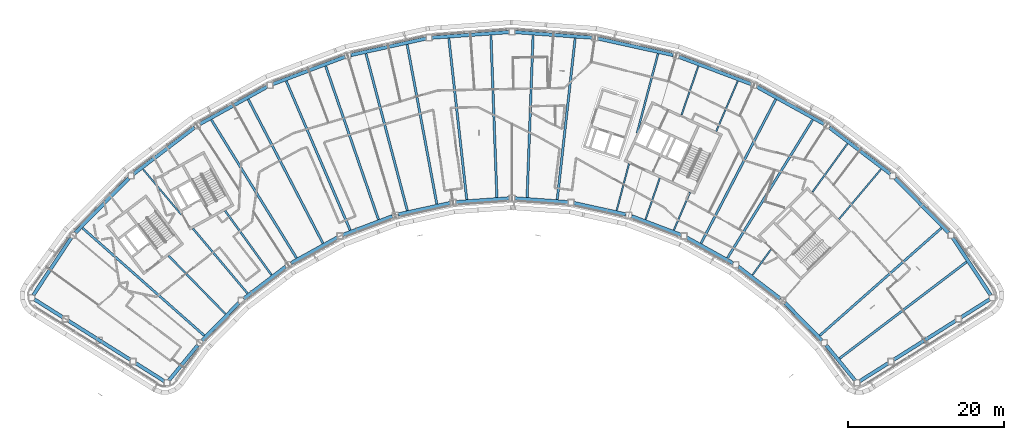
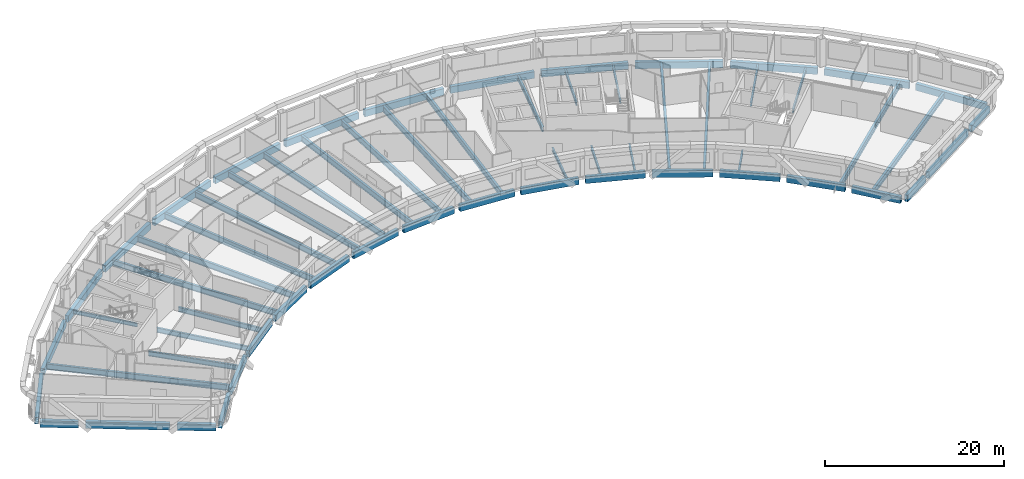
# One storey, part 3 of 21: 62 beams.
"""IFC4 building model written with IfcOpenShell, lengths in metres."""

from ifc_helpers import new_model, si_unit, direction, frame, origin, origin_2d, place, context, subcontext, project, spatial, hollow_rectangle, i_section, extrude, material, material_profile, profile_set, type_object, element, save


model = new_model("IFC4")

# Units and contexts
model_context = context("Model", 3, precision=1e-05, world=origin(), true_north=direction((0.0, 1.0)))
body_context = subcontext(model_context, "Body", "Model", "MODEL_VIEW")
ifc_project = project(units=[si_unit("LENGTHUNIT", "METRE"), si_unit("AREAUNIT", "SQUARE_METRE"), si_unit("VOLUMEUNIT", "CUBIC_METRE"), si_unit("PLANEANGLEUNIT", "RADIAN"), si_unit("MASSUNIT", "GRAM", prefix="KILO")], contexts=[model_context])

# Site, building, storey
site_placement = place(None, origin())
site = spatial("IfcSite", under=ifc_project, at=site_placement, CompositionType="ELEMENT")
building_placement = place(site_placement, origin())
building = spatial("IfcBuilding", under=site, at=building_placement, Name="Tuul Gate Civic Tower", CompositionType="ELEMENT")
storey_placement = place(building_placement, frame((0.0, 0.0, 273.60009765625)))
storey = spatial("IfcBuildingStorey", under=building, at=storey_placement, Name="Level 62", CompositionType="ELEMENT", Elevation=273.60009765625)

# Beams
ifc_material_1 = material(Name="Steel S355", Category="steel")
ifc_material_profile_1 = material_profile(ifc_material_1, i_section(OverallWidth=0.199951171875, OverallDepth=0.5, WebThickness=0.010009765625, FlangeThickness=0.01611328125, at=origin_2d()), Name="PG500x200x10x16")
ifc_profile_set_1 = profile_set([ifc_material_profile_1], Name="Steel S355")
beam_type_1 = type_object("IfcBeamType", Name="STR-FLOOR BEAM-PG500x200x10x16", PredefinedType="BEAM", material=ifc_profile_set_1)
beam_1_placement = place(storey_placement, frame((53.012939453125, -10.570068359375, -0.550048828125), z_axis=(0.644124963716, 0.764920277622, 0.0), x_axis=(-0.764920277622, 0.644124963716, 0.0)))
element("IfcBeam", 1, at=beam_1_placement, inside=storey, type_object=beam_type_1, Name="Floor beam", PredefinedType="BEAM", context=body_context, shape_type="SweptSolid", body=[
    extrude(i_section(OverallWidth=0.199951171875, OverallDepth=0.5, WebThickness=0.010009765625, FlangeThickness=0.01611328125, at=origin_2d()), origin(), (0.0, 0.0, 1.0), 8.367431640625),
])
beam_2_placement = place(storey_placement, frame((41.900390625, -17.74755859375, -0.550048828125), z_axis=(0.58608498793, 0.810249583106, 0.0), x_axis=(-0.810249583106, 0.58608498793, 0.0)))
element("IfcBeam", 2, at=beam_2_placement, inside=storey, type_object=beam_type_1, Name="Floor beam", PredefinedType="BEAM", context=body_context, shape_type="SweptSolid", body=[
    extrude(i_section(OverallWidth=0.199951171875, OverallDepth=0.5, WebThickness=0.010009765625, FlangeThickness=0.01611328125, at=origin_2d()), origin(), (0.0, 0.0, 1.0), 4.017822265625),
])
beam_3_placement = place(storey_placement, frame((49.606201171875, -7.094482421875, -0.550048828125), z_axis=(0.586082829809, 0.810251144154, 0.0), x_axis=(-0.810251144154, 0.586082829809, 0.0)))
element("IfcBeam", 3, at=beam_3_placement, inside=storey, type_object=beam_type_1, Name="Floor beam", PredefinedType="BEAM", context=body_context, shape_type="SweptSolid", body=[
    extrude(i_section(OverallWidth=0.199951171875, OverallDepth=0.5, WebThickness=0.010009765625, FlangeThickness=0.01611328125, at=origin_2d()), origin(), (0.0, 0.0, 1.0), 7.658447265625),
])
beam_4_placement = place(storey_placement, frame((31.8076171875, -11.986328125, -0.550048828125), z_axis=(0.394180828633, 0.919032901663, 0.0), x_axis=(-0.919032901663, 0.394180828633, 0.0)))
element("IfcBeam", 4, at=beam_4_placement, inside=storey, type_object=beam_type_1, Name="Floor beam", PredefinedType="BEAM", context=body_context, shape_type="SweptSolid", body=[
    extrude(i_section(OverallWidth=0.199951171875, OverallDepth=0.5, WebThickness=0.010009765625, FlangeThickness=0.01611328125, at=origin_2d()), origin(), (0.0, 0.0, 1.0), 5.294921875),
])
beam_5_placement = place(storey_placement, frame((37.247314453125, 0.695556640625, -0.550048828125), z_axis=(0.394187897698, 0.91902986965, 0.0), x_axis=(-0.91902986965, 0.394187897698, 0.0)))
element("IfcBeam", 5, at=beam_5_placement, inside=storey, type_object=beam_type_1, Name="Floor beam", PredefinedType="BEAM", context=body_context, shape_type="SweptSolid", body=[
    extrude(i_section(OverallWidth=0.199951171875, OverallDepth=0.5, WebThickness=0.010009765625, FlangeThickness=0.01611328125, at=origin_2d()), origin(), (0.0, 0.0, 1.0), 7.020263671875),
])
beam_6_placement = place(storey_placement, frame((28.17724609375, -10.613525390625, -0.550048828125), z_axis=(0.32546385433, 0.945554482579, 0.0), x_axis=(-0.945554482579, 0.32546385433, 0.0)))
element("IfcBeam", 6, at=beam_6_placement, inside=storey, type_object=beam_type_1, Name="Floor beam", PredefinedType="BEAM", context=body_context, shape_type="SweptSolid", body=[
    extrude(i_section(OverallWidth=0.199951171875, OverallDepth=0.5, WebThickness=0.010009765625, FlangeThickness=0.01611328125, at=origin_2d()), origin(), (0.0, 0.0, 1.0), 5.61328125),
])
beam_7_placement = place(storey_placement, frame((32.7861328125, 2.775634765625, -0.550048828125), z_axis=(0.325498409491, 0.94554258784, 0.0), x_axis=(-0.94554258784, 0.325498409491, 0.0)))
element("IfcBeam", 7, at=beam_7_placement, inside=storey, type_object=beam_type_1, Name="Floor beam", PredefinedType="BEAM", context=body_context, shape_type="SweptSolid", body=[
    extrude(i_section(OverallWidth=0.199951171875, OverallDepth=0.5, WebThickness=0.010009765625, FlangeThickness=0.01611328125, at=origin_2d()), origin(), (0.0, 0.0, 1.0), 6.649169921875),
])
beam_8_placement = place(storey_placement, frame((24.469482421875, -9.467041015625, -0.550048828125), z_axis=(0.254996491749, 0.966941978195, 0.0), x_axis=(-0.966941978195, 0.254996491749, 0.0)))
element("IfcBeam", 8, at=beam_8_placement, inside=storey, type_object=beam_type_1, Name="Floor beam", PredefinedType="BEAM", context=body_context, shape_type="SweptSolid", body=[
    extrude(i_section(OverallWidth=0.199951171875, OverallDepth=0.5, WebThickness=0.010009765625, FlangeThickness=0.01611328125, at=origin_2d()), origin(), (0.0, 0.0, 1.0), 6.208984375),
])
beam_9_placement = place(storey_placement, frame((-31.43212890625, -9.998779296875, -0.550048828125), z_axis=(-0.644120948452, 0.764923658782, 0.0), x_axis=(-0.764923658782, -0.644120948452, 0.0)))
element("IfcBeam", 9, at=beam_9_placement, inside=storey, type_object=beam_type_1, Name="Floor beam", PredefinedType="BEAM", context=body_context, shape_type="SweptSolid", body=[
    extrude(i_section(OverallWidth=0.199951171875, OverallDepth=0.5, WebThickness=0.010009765625, FlangeThickness=0.01611328125, at=origin_2d()), origin(), (0.0, 0.0, 1.0), 7.62109375),
])
ifc_material_2 = material(Name="Steel S355", Category="steel")
ifc_material_profile_2 = material_profile(ifc_material_2, i_section(OverallWidth=0.25, OverallDepth=0.64990234375, WebThickness=0.011962890625, FlangeThickness=0.02001953125, at=origin_2d()), Name="PG650x250x12x20")
ifc_profile_set_2 = profile_set([ifc_material_profile_2], Name="Steel S355")
beam_type_2 = type_object("IfcBeamType", Name="STR-FLOOR BEAM-PG650x250x12x20", PredefinedType="BEAM", material=ifc_profile_set_2)
beam_10_placement = place(storey_placement, frame((27.08447265625, 0.44873046875, -0.625), z_axis=(0.255007501185, 0.966939074782, 0.0), x_axis=(-0.966939074782, 0.255007501185, 0.0)))
element("IfcBeam", 10, at=beam_10_placement, inside=storey, type_object=beam_type_2, Name="Floor beam", PredefinedType="BEAM", context=body_context, shape_type="SweptSolid", body=[
    extrude(i_section(OverallWidth=0.25, OverallDepth=0.64990234375, WebThickness=0.011962890625, FlangeThickness=0.02001953125, at=origin_2d()), origin(), (0.0, 0.0, 1.0), 10.562744140625),
])
beam_11_placement = place(storey_placement, frame((-19.838623046875, -17.747314453125, -0.625), z_axis=(-0.586080278924, 0.810252989292, 0.0), x_axis=(-0.810252989292, -0.586080278924, 0.0)))
element("IfcBeam", 11, at=beam_11_placement, inside=storey, type_object=beam_type_2, Name="Floor beam", PredefinedType="BEAM", context=body_context, shape_type="SweptSolid", body=[
    extrude(i_section(OverallWidth=0.25, OverallDepth=0.64990234375, WebThickness=0.011962890625, FlangeThickness=0.02001953125, at=origin_2d()), origin(), (0.0, 0.0, 1.0), 10.18505859375),
])
beam_12_placement = place(storey_placement, frame((-22.927001953125, -20.0986328125, -0.625), z_axis=(-0.644130906332, 0.764915273418, 0.0), x_axis=(-0.764915273418, -0.644130906332, 0.0)))
element("IfcBeam", 12, at=beam_12_placement, inside=storey, type_object=beam_type_2, Name="Floor beam", PredefinedType="BEAM", context=body_context, shape_type="SweptSolid", body=[
    extrude(i_section(OverallWidth=0.25, OverallDepth=0.64990234375, WebThickness=0.011962890625, FlangeThickness=0.02001953125, at=origin_2d()), origin(), (0.0, 0.0, 1.0), 10.87451171875),
])
beam_13_placement = place(storey_placement, frame((-25.767333984375, -22.744140625, -0.625), z_axis=(-0.698680484376, 0.715433840933, 0.0), x_axis=(-0.715433840933, -0.698680484376, 0.0)))
element("IfcBeam", 13, at=beam_13_placement, inside=storey, type_object=beam_type_2, Name="Floor beam", PredefinedType="BEAM", context=body_context, shape_type="SweptSolid", body=[
    extrude(i_section(OverallWidth=0.25, OverallDepth=0.64990234375, WebThickness=0.011962890625, FlangeThickness=0.02001953125, at=origin_2d()), origin(), (0.0, 0.0, 1.0), 10.43408203125),
])
ifc_material_3 = material(Name="Steel S355", Category="steel")
ifc_material_profile_3 = material_profile(ifc_material_3, i_section(OverallWidth=0.300048828125, OverallDepth=0.800048828125, WebThickness=0.013916015625, FlangeThickness=0.02490234375, at=origin_2d()), Name="PG800x300x14x25")
ifc_profile_set_3 = profile_set([ifc_material_profile_3], Name="Steel S355")
beam_type_3 = type_object("IfcBeamType", Name="STR-FLOOR BEAM-PG800x300x14x25", PredefinedType="BEAM", material=ifc_profile_set_3)
beam_14_placement = place(storey_placement, frame((53.0859375, -28.4609375, -0.7001953125), z_axis=(0.796147939121, 0.605102023657, 0.0), x_axis=(-0.605102023657, 0.796147939121, 0.0)))
element("IfcBeam", 14, at=beam_14_placement, inside=storey, type_object=beam_type_3, Name="Floor beam", PredefinedType="BEAM", context=body_context, shape_type="SweptSolid", body=[
    extrude(i_section(OverallWidth=0.300048828125, OverallDepth=0.800048828125, WebThickness=0.013916015625, FlangeThickness=0.02490234375, at=origin_2d()), origin(), (0.0, 0.0, 1.0), 20.4619140625),
])
beam_15_placement = place(storey_placement, frame((50.546630859375, -25.51611328125, -0.7001953125), z_axis=(0.749454599758, 0.662055740026, 0.0), x_axis=(-0.662055740026, 0.749454599758, 0.0)))
element("IfcBeam", 15, at=beam_15_placement, inside=storey, type_object=beam_type_3, Name="Floor beam", PredefinedType="BEAM", context=body_context, shape_type="SweptSolid", body=[
    extrude(i_section(OverallWidth=0.300048828125, OverallDepth=0.800048828125, WebThickness=0.013916015625, FlangeThickness=0.02490234375, at=origin_2d()), origin(), (0.0, 0.0, 1.0), 20.82763671875),
])
beam_16_placement = place(storey_placement, frame((38.69677734375, -15.556396484375, -0.7001953125), z_axis=(0.524851468826, 0.851193829672, 0.0), x_axis=(-0.851193829672, 0.524851468826, 0.0)))
element("IfcBeam", 16, at=beam_16_placement, inside=storey, type_object=beam_type_3, Name="Floor beam", PredefinedType="BEAM", context=body_context, shape_type="SweptSolid", body=[
    extrude(i_section(OverallWidth=0.300048828125, OverallDepth=0.800048828125, WebThickness=0.013916015625, FlangeThickness=0.02490234375, at=origin_2d()), origin(), (0.0, 0.0, 1.0), 20.822998046875),
])
beam_17_placement = place(storey_placement, frame((35.30224609375, -13.67431640625, -0.7001953125), z_axis=(0.460781503105, 0.887513609133, 0.0), x_axis=(-0.887513609133, 0.460781503105, 0.0)))
element("IfcBeam", 17, at=beam_17_placement, inside=storey, type_object=beam_type_3, Name="Floor beam", PredefinedType="BEAM", context=body_context, shape_type="SweptSolid", body=[
    extrude(i_section(OverallWidth=0.300048828125, OverallDepth=0.800048828125, WebThickness=0.013916015625, FlangeThickness=0.02490234375, at=origin_2d()), origin(), (0.0, 0.0, 1.0), 20.807861328125),
])
beam_18_placement = place(storey_placement, frame((16.84228515625, -8.052001953125, -0.7001953125), z_axis=(0.110274472783, 0.993901172478, 0.0), x_axis=(-0.993901172478, 0.110274472783, 0.0)))
element("IfcBeam", 18, at=beam_18_placement, inside=storey, type_object=beam_type_3, Name="Floor beam", PredefinedType="BEAM", context=body_context, shape_type="SweptSolid", body=[
    extrude(i_section(OverallWidth=0.300048828125, OverallDepth=0.800048828125, WebThickness=0.013916015625, FlangeThickness=0.02490234375, at=origin_2d()), origin(), (0.0, 0.0, 1.0), 20.8154296875),
])
for number, where, z_axis, x_axis, name in (
    (19, (12.971435546875, -7.771728515625, -0.7001953125), (0.036820764609, 0.999321885727, 0.0), (-0.999321885727, 0.036820764609, 0.0), "Floor beam"),
    (20, (9.090576171875, -7.771728515625, -0.7001953125), (-0.036832478792, 0.999321454041, 0.0), (-0.999321454041, -0.036832478792, 0.0), "Floor beam"),
):
    element("IfcBeam", number, at=place(storey_placement, frame(where, z_axis=z_axis, x_axis=x_axis)), inside=storey, type_object=beam_type_3, Name=name, PredefinedType="BEAM", context=body_context, shape_type="SweptSolid", body=[
        extrude(i_section(OverallWidth=0.300048828125, OverallDepth=0.800048828125, WebThickness=0.013916015625, FlangeThickness=0.02490234375, at=origin_2d()), origin(), (0.0, 0.0, 1.0), 20.813232421875),
    ])
beam_19_placement = place(storey_placement, frame((5.2197265625, -8.052001953125, -0.7001953125), z_axis=(-0.110286058964, 0.993899886909, 0.0), x_axis=(-0.993899886909, -0.110286058964, 0.0)))
element("IfcBeam", 21, at=beam_19_placement, inside=storey, type_object=beam_type_3, Name="Floor beam", PredefinedType="BEAM", context=body_context, shape_type="SweptSolid", body=[
    extrude(i_section(OverallWidth=0.300048828125, OverallDepth=0.800048828125, WebThickness=0.013916015625, FlangeThickness=0.02490234375, at=origin_2d()), origin(), (0.0, 0.0, 1.0), 20.8154296875),
])
beam_20_placement = place(storey_placement, frame((1.38232421875, -8.631591796875, -0.7001953125), z_axis=(-0.1831360046, 0.983087587054, 0.0), x_axis=(-0.983087587054, -0.1831360046, 0.0)))
element("IfcBeam", 22, at=beam_20_placement, inside=storey, type_object=beam_type_3, Name="Floor beam", PredefinedType="BEAM", context=body_context, shape_type="SweptSolid", body=[
    extrude(i_section(OverallWidth=0.300048828125, OverallDepth=0.800048828125, WebThickness=0.013916015625, FlangeThickness=0.02490234375, at=origin_2d()), origin(), (0.0, 0.0, 1.0), 20.811279296875),
])
beam_21_placement = place(storey_placement, frame((-2.40771484375, -9.467041015625, -0.7001953125), z_axis=(-0.255004720301, 0.96693980817, 0.0), x_axis=(-0.96693980817, -0.255004720301, 0.0)))
element("IfcBeam", 23, at=beam_21_placement, inside=storey, type_object=beam_type_3, Name="Floor beam", PredefinedType="BEAM", context=body_context, shape_type="SweptSolid", body=[
    extrude(i_section(OverallWidth=0.300048828125, OverallDepth=0.800048828125, WebThickness=0.013916015625, FlangeThickness=0.02490234375, at=origin_2d()), origin(), (0.0, 0.0, 1.0), 20.817626953125),
])
beam_22_placement = place(storey_placement, frame((-6.115478515625, -10.613525390625, -0.7001953125), z_axis=(-0.325476485131, 0.945550134909, 0.0), x_axis=(-0.945550134909, -0.325476485131, 0.0)))
element("IfcBeam", 24, at=beam_22_placement, inside=storey, type_object=beam_type_3, Name="Floor beam", PredefinedType="BEAM", context=body_context, shape_type="SweptSolid", body=[
    extrude(i_section(OverallWidth=0.300048828125, OverallDepth=0.800048828125, WebThickness=0.013916015625, FlangeThickness=0.02490234375, at=origin_2d()), origin(), (0.0, 0.0, 1.0), 20.809326171875),
])
beam_23_placement = place(storey_placement, frame((-9.74560546875, -11.986328125, -0.7001953125), z_axis=(-0.394206576273, 0.919021857859, 0.0), x_axis=(-0.919021857859, -0.394206576273, 0.0)))
element("IfcBeam", 25, at=beam_23_placement, inside=storey, type_object=beam_type_3, Name="Floor beam", PredefinedType="BEAM", context=body_context, shape_type="SweptSolid", body=[
    extrude(i_section(OverallWidth=0.300048828125, OverallDepth=0.800048828125, WebThickness=0.013916015625, FlangeThickness=0.02490234375, at=origin_2d()), origin(), (0.0, 0.0, 1.0), 20.81982421875),
])
beam_24_placement = place(storey_placement, frame((-13.240478515625, -13.674072265625, -0.7001953125), z_axis=(-0.460777059353, 0.887515916237, 0.0), x_axis=(-0.887515916237, -0.460777059353, 0.0)))
element("IfcBeam", 26, at=beam_24_placement, inside=storey, type_object=beam_type_3, Name="Floor beam", PredefinedType="BEAM", context=body_context, shape_type="SweptSolid", body=[
    extrude(i_section(OverallWidth=0.300048828125, OverallDepth=0.800048828125, WebThickness=0.013916015625, FlangeThickness=0.02490234375, at=origin_2d()), origin(), (0.0, 0.0, 1.0), 20.8076171875),
])
beam_25_placement = place(storey_placement, frame((-16.63525390625, -15.55615234375, -0.7001953125), z_axis=(-0.524839716817, 0.851201075922, 0.0), x_axis=(-0.851201075922, -0.524839716817, 0.0)))
element("IfcBeam", 27, at=beam_25_placement, inside=storey, type_object=beam_type_3, Name="Floor beam", PredefinedType="BEAM", context=body_context, shape_type="SweptSolid", body=[
    extrude(i_section(OverallWidth=0.300048828125, OverallDepth=0.800048828125, WebThickness=0.013916015625, FlangeThickness=0.02490234375, at=origin_2d()), origin(), (0.0, 0.0, 1.0), 20.822509765625),
])
beam_26_placement = place(storey_placement, frame((-28.48486328125, -25.51611328125, -0.7001953125), z_axis=(-0.749449461751, 0.662061556263, 0.0), x_axis=(-0.662061556263, -0.749449461751, 0.0)))
element("IfcBeam", 28, at=beam_26_placement, inside=storey, type_object=beam_type_3, Name="Floor beam", PredefinedType="BEAM", context=body_context, shape_type="SweptSolid", body=[
    extrude(i_section(OverallWidth=0.300048828125, OverallDepth=0.800048828125, WebThickness=0.013916015625, FlangeThickness=0.02490234375, at=origin_2d()), origin(), (0.0, 0.0, 1.0), 20.827392578125),
])
ifc_material_4 = material(Name="Steel S355", Category="steel")
ifc_material_profile_4 = material_profile(ifc_material_4, hollow_rectangle(XDim=0.449951171875, YDim=0.89990234375, WallThickness=0.02490234375, at=origin_2d()), Name="BOX900x450x25")
ifc_profile_set_4 = profile_set([ifc_material_profile_4], Name="Steel S355")
beam_type_4 = type_object("IfcBeamType", Name="STR-SPANDREL BEAM-BOX900x450x25", PredefinedType="BEAM", material=ifc_profile_set_4)
beam_27_placement = place(storey_placement, frame((72.4814453125, -20.3203125, -0.75), z_axis=(-0.551644580762, 0.834079286708, 0.0), x_axis=(-0.834079286708, -0.551644580762, 0.0)))
element("IfcBeam", 29, at=beam_27_placement, inside=storey, type_object=beam_type_4, Name="Spandrel beam", PredefinedType="BEAM", context=body_context, shape_type="SweptSolid", body=[
    extrude(hollow_rectangle(XDim=0.449951171875, YDim=0.89990234375, WallThickness=0.02490234375, at=origin_2d()), origin(), (0.0, 0.0, 1.0), 8.805908203125),
])
beam_28_placement = place(storey_placement, frame((67.123046875, -12.3564453125, -0.75), z_axis=(-0.700052630296, 0.714091251042, 0.0), x_axis=(-0.714091251042, -0.700052630296, 0.0)))
element("IfcBeam", 30, at=beam_28_placement, inside=storey, type_object=beam_type_4, Name="Spandrel beam", PredefinedType="BEAM", context=body_context, shape_type="SweptSolid", body=[
    extrude(hollow_rectangle(XDim=0.449951171875, YDim=0.89990234375, WallThickness=0.02490234375, at=origin_2d()), origin(), (0.0, 0.0, 1.0), 9.8779296875),
])
beam_29_placement = place(storey_placement, frame((59.60986328125, -4.774658203125, -0.75), z_axis=(-0.795586019059, 0.605840644294, 0.0), x_axis=(-0.605840644294, -0.795586019059, 0.0)))
element("IfcBeam", 31, at=beam_29_placement, inside=storey, type_object=beam_type_4, Name="Spandrel beam", PredefinedType="BEAM", context=body_context, shape_type="SweptSolid", body=[
    extrude(hollow_rectangle(XDim=0.449951171875, YDim=0.89990234375, WallThickness=0.02490234375, at=origin_2d()), origin(), (0.0, 0.0, 1.0), 9.877685546875),
])
beam_30_placement = place(storey_placement, frame((51.083251953125, 1.64599609375, -0.75), z_axis=(-0.874631416408, 0.484788495565, 0.0), x_axis=(-0.484788495565, -0.874631416408, 0.0)))
element("IfcBeam", 32, at=beam_30_placement, inside=storey, type_object=beam_type_4, Name="Spandrel beam", PredefinedType="BEAM", context=body_context, shape_type="SweptSolid", body=[
    extrude(hollow_rectangle(XDim=0.449951171875, YDim=0.89990234375, WallThickness=0.02490234375, at=origin_2d()), origin(), (0.0, 0.0, 1.0), 9.876708984375),
])
beam_31_placement = place(storey_placement, frame((41.720947265625, 6.76953125, -0.75), z_axis=(-0.935348375613, 0.353727884451, 0.0), x_axis=(-0.353727884451, -0.935348375613, 0.0)))
element("IfcBeam", 33, at=beam_31_placement, inside=storey, type_object=beam_type_4, Name="Spandrel beam", PredefinedType="BEAM", context=body_context, shape_type="SweptSolid", body=[
    extrude(hollow_rectangle(XDim=0.449951171875, YDim=0.89990234375, WallThickness=0.02490234375, at=origin_2d()), origin(), (0.0, 0.0, 1.0), 9.87744140625),
])
beam_32_placement = place(storey_placement, frame((31.71728515625, 10.490966796875, -0.75), z_axis=(-0.976565880984, 0.215218679716, 0.0), x_axis=(-0.215218679716, -0.976565880984, 0.0)))
element("IfcBeam", 34, at=beam_32_placement, inside=storey, type_object=beam_type_4, Name="Spandrel beam", PredefinedType="BEAM", context=body_context, shape_type="SweptSolid", body=[
    extrude(hollow_rectangle(XDim=0.449951171875, YDim=0.89990234375, WallThickness=0.02490234375, at=origin_2d()), origin(), (0.0, 0.0, 1.0), 9.878173828125),
])
beam_33_placement = place(storey_placement, frame((21.281005859375, 12.73193359375, -0.75), z_axis=(-0.997389983978, 0.072202630563, 0.0), x_axis=(-0.072202630563, -0.997389983978, 0.0)))
element("IfcBeam", 35, at=beam_33_placement, inside=storey, type_object=beam_type_4, Name="Spandrel beam", PredefinedType="BEAM", context=body_context, shape_type="SweptSolid", body=[
    extrude(hollow_rectangle(XDim=0.449951171875, YDim=0.89990234375, WallThickness=0.02490234375, at=origin_2d()), origin(), (0.0, 0.0, 1.0), 9.876953125),
])
beam_34_placement = place(storey_placement, frame((10.632080078125, 13.445068359375, -0.75), z_axis=(-0.997390499353, -0.072195510943, 0.0), x_axis=(0.072195510943, -0.997390499353, 0.0)))
element("IfcBeam", 36, at=beam_34_placement, inside=storey, type_object=beam_type_4, Name="Spandrel beam", PredefinedType="BEAM", context=body_context, shape_type="SweptSolid", body=[
    extrude(hollow_rectangle(XDim=0.449951171875, YDim=0.89990234375, WallThickness=0.02490234375, at=origin_2d()), origin(), (0.0, 0.0, 1.0), 9.8779296875),
])
beam_35_placement = place(storey_placement, frame((-0.009521484375, 12.616943359375, -0.75), z_axis=(-0.97656649642, -0.215215887123, 0.0), x_axis=(0.215215887123, -0.97656649642, 0.0)))
element("IfcBeam", 37, at=beam_35_placement, inside=storey, type_object=beam_type_4, Name="Spandrel beam", PredefinedType="BEAM", context=body_context, shape_type="SweptSolid", body=[
    extrude(hollow_rectangle(XDim=0.449951171875, YDim=0.89990234375, WallThickness=0.02490234375, at=origin_2d()), origin(), (0.0, 0.0, 1.0), 9.877197265625),
])
beam_36_placement = place(storey_placement, frame((-10.420166015625, 10.263427734375, -0.75), z_axis=(-0.935348375613, -0.353727884451, 0.0), x_axis=(0.353727884451, -0.935348375613, 0.0)))
element("IfcBeam", 38, at=beam_36_placement, inside=storey, type_object=beam_type_4, Name="Spandrel beam", PredefinedType="BEAM", context=body_context, shape_type="SweptSolid", body=[
    extrude(hollow_rectangle(XDim=0.449951171875, YDim=0.89990234375, WallThickness=0.02490234375, at=origin_2d()), origin(), (0.0, 0.0, 1.0), 9.87744140625),
])
beam_37_placement = place(storey_placement, frame((-20.3828125, 6.43408203125, -0.75), z_axis=(-0.874631416408, -0.484788495565, 0.0), x_axis=(0.484788495565, -0.874631416408, 0.0)))
element("IfcBeam", 39, at=beam_37_placement, inside=storey, type_object=beam_type_4, Name="Spandrel beam", PredefinedType="BEAM", context=body_context, shape_type="SweptSolid", body=[
    extrude(hollow_rectangle(XDim=0.449951171875, YDim=0.89990234375, WallThickness=0.02490234375, at=origin_2d()), origin(), (0.0, 0.0, 1.0), 9.876708984375),
])
beam_38_placement = place(storey_placement, frame((-29.689208984375, 1.209716796875, -0.75), z_axis=(-0.795622302229, -0.605792994509, 0.0), x_axis=(0.605792994509, -0.795622302229, 0.0)))
element("IfcBeam", 40, at=beam_38_placement, inside=storey, type_object=beam_type_4, Name="Spandrel beam", PredefinedType="BEAM", context=body_context, shape_type="SweptSolid", body=[
    extrude(hollow_rectangle(XDim=0.449951171875, YDim=0.89990234375, WallThickness=0.02490234375, at=origin_2d()), origin(), (0.0, 0.0, 1.0), 9.878662109375),
])
beam_39_placement = place(storey_placement, frame((-38.14697265625, -5.302734375, -0.75), z_axis=(-0.700002211949, -0.714140674704, 0.0), x_axis=(0.714140674704, -0.700002211949, 0.0)))
element("IfcBeam", 41, at=beam_39_placement, inside=storey, type_object=beam_type_4, Name="Spandrel beam", PredefinedType="BEAM", context=body_context, shape_type="SweptSolid", body=[
    extrude(hollow_rectangle(XDim=0.449951171875, YDim=0.89990234375, WallThickness=0.02490234375, at=origin_2d()), origin(), (0.0, 0.0, 1.0), 9.877197265625),
])
beam_40_placement = place(storey_placement, frame((-45.561767578125, -12.9755859375, -0.75), z_axis=(-0.551644580762, -0.834079286708, 0.0), x_axis=(0.834079286708, -0.551644580762, 0.0)))
element("IfcBeam", 42, at=beam_40_placement, inside=storey, type_object=beam_type_4, Name="Spandrel beam", PredefinedType="BEAM", context=body_context, shape_type="SweptSolid", body=[
    extrude(hollow_rectangle(XDim=0.449951171875, YDim=0.89990234375, WallThickness=0.02490234375, at=origin_2d()), origin(), (0.0, 0.0, 1.0), 8.805908203125),
])
beam_41_placement = place(storey_placement, frame((-50.301513671875, -20.8671875, -0.75), z_axis=(0.84613117079, -0.532974710298, 0.0), x_axis=(0.532974710298, 0.84613117079, 0.0)))
element("IfcBeam", 43, at=beam_41_placement, inside=storey, type_object=beam_type_4, Name="Spandrel beam", PredefinedType="BEAM", context=body_context, shape_type="SweptSolid", body=[
    extrude(hollow_rectangle(XDim=0.449951171875, YDim=0.89990234375, WallThickness=0.02490234375, at=origin_2d()), origin(), (0.0, 0.0, 1.0), 4.33154296875),
])
beam_42_placement = place(storey_placement, frame((-45.95947265625, -23.60205078125, -0.75), z_axis=(0.84620354352, -0.532859796695, 0.0), x_axis=(0.532859796695, 0.84620354352, 0.0)))
element("IfcBeam", 44, at=beam_42_placement, inside=storey, type_object=beam_type_4, Name="Spandrel beam", PredefinedType="BEAM", context=body_context, shape_type="SweptSolid", body=[
    extrude(hollow_rectangle(XDim=0.449951171875, YDim=0.89990234375, WallThickness=0.02490234375, at=origin_2d()), origin(), (0.0, 0.0, 1.0), 9.463623046875),
])
beam_43_placement = place(storey_placement, frame((-37.2744140625, -29.071044921875, -0.75), z_axis=(0.846271424817, -0.532751983138, 0.0), x_axis=(0.532751983138, 0.846271424817, 0.0)))
element("IfcBeam", 45, at=beam_43_placement, inside=storey, type_object=beam_type_4, Name="Spandrel beam", PredefinedType="BEAM", context=body_context, shape_type="SweptSolid", body=[
    extrude(hollow_rectangle(XDim=0.449951171875, YDim=0.89990234375, WallThickness=0.02490234375, at=origin_2d()), origin(), (0.0, 0.0, 1.0), 4.33203125),
])
beam_44_placement = place(storey_placement, frame((-33.016357421875, -31.28271484375, -0.75), z_axis=(0.63442976414, 0.772980513579, 0.0), x_axis=(-0.772980513579, 0.63442976414, 0.0)))
element("IfcBeam", 46, at=beam_44_placement, inside=storey, type_object=beam_type_4, Name="Spandrel beam", PredefinedType="BEAM", context=body_context, shape_type="SweptSolid", body=[
    extrude(hollow_rectangle(XDim=0.449951171875, YDim=0.89990234375, WallThickness=0.02490234375, at=origin_2d()), origin(), (0.0, 0.0, 1.0), 5.85205078125),
])
beam_45_placement = place(storey_placement, frame((-28.77001953125, -26.164306640625, -0.75), z_axis=(0.700025402034, 0.714117942995, 0.0), x_axis=(-0.714117942995, 0.700025402034, 0.0)))
element("IfcBeam", 47, at=beam_45_placement, inside=storey, type_object=beam_type_4, Name="Spandrel beam", PredefinedType="BEAM", context=body_context, shape_type="SweptSolid", body=[
    extrude(hollow_rectangle(XDim=0.449951171875, YDim=0.89990234375, WallThickness=0.02490234375, at=origin_2d()), origin(), (0.0, 0.0, 1.0), 6.791015625),
])
beam_46_placement = place(storey_placement, frame((-23.417724609375, -20.78662109375, -0.75), z_axis=(0.795626424775, 0.605787580098, 0.0), x_axis=(-0.605787580098, 0.795626424775, 0.0)))
element("IfcBeam", 48, at=beam_46_placement, inside=storey, type_object=beam_type_4, Name="Spandrel beam", PredefinedType="BEAM", context=body_context, shape_type="SweptSolid", body=[
    extrude(hollow_rectangle(XDim=0.449951171875, YDim=0.89990234375, WallThickness=0.02490234375, at=origin_2d()), origin(), (0.0, 0.0, 1.0), 6.79150390625),
])
beam_47_placement = place(storey_placement, frame((-17.34619140625, -16.236083984375, -0.75), z_axis=(0.87459604926, 0.484852297734, 0.0), x_axis=(-0.484852297734, 0.87459604926, 0.0)))
element("IfcBeam", 49, at=beam_47_placement, inside=storey, type_object=beam_type_4, Name="Spandrel beam", PredefinedType="BEAM", context=body_context, shape_type="SweptSolid", body=[
    extrude(hollow_rectangle(XDim=0.449951171875, YDim=0.89990234375, WallThickness=0.02490234375, at=origin_2d()), origin(), (0.0, 0.0, 1.0), 6.792236328125),
])
beam_48_placement = place(storey_placement, frame((-10.681884765625, -12.607421875, -0.75), z_axis=(0.935378837958, 0.353647323617, 0.0), x_axis=(-0.353647323617, 0.935378837958, 0.0)))
element("IfcBeam", 50, at=beam_48_placement, inside=storey, type_object=beam_type_4, Name="Spandrel beam", PredefinedType="BEAM", context=body_context, shape_type="SweptSolid", body=[
    extrude(hollow_rectangle(XDim=0.449951171875, YDim=0.89990234375, WallThickness=0.02490234375, at=origin_2d()), origin(), (0.0, 0.0, 1.0), 6.791748046875),
])
for number, where, z_axis, x_axis, name in (
    (51, (-3.564453125, -9.97802734375, -0.75), (0.976561119915, 0.215240282172, 0.0), (-0.215240282172, 0.976561119915, 0.0), "Spandrel beam"),
    (52, (3.85791015625, -8.401123046875, -0.75), (0.997391663711, 0.072179423387, 0.0), (-0.072179423387, 0.997391663711, 0.0), "Spandrel beam"),
    (53, (11.429931640625, -7.910888671875, -0.75), (0.997391663711, -0.072179423387, 0.0), (0.072179423387, 0.997391663711, 0.0), "Spandrel beam"),
    (54, (18.99365234375, -8.51611328125, -0.75), (0.976561119915, -0.215240282172, 0.0), (0.215240282172, 0.976561119915, 0.0), "Spandrel beam"),
):
    element("IfcBeam", number, at=place(storey_placement, frame(where, z_axis=z_axis, x_axis=x_axis)), inside=storey, type_object=beam_type_4, Name=name, PredefinedType="BEAM", context=body_context, shape_type="SweptSolid", body=[
        extrude(hollow_rectangle(XDim=0.449951171875, YDim=0.89990234375, WallThickness=0.02490234375, at=origin_2d()), origin(), (0.0, 0.0, 1.0), 6.7919921875),
    ])
beam_49_placement = place(storey_placement, frame((26.39111328125, -10.20556640625, -0.75), z_axis=(0.935378837958, -0.353647323617, 0.0), x_axis=(0.353647323617, 0.935378837958, 0.0)))
element("IfcBeam", 55, at=beam_49_placement, inside=storey, type_object=beam_type_4, Name="Spandrel beam", PredefinedType="BEAM", context=body_context, shape_type="SweptSolid", body=[
    extrude(hollow_rectangle(XDim=0.449951171875, YDim=0.89990234375, WallThickness=0.02490234375, at=origin_2d()), origin(), (0.0, 0.0, 1.0), 6.791748046875),
])
beam_50_placement = place(storey_placement, frame((33.4677734375, -12.94287109375, -0.75), z_axis=(0.874562243514, -0.484913272885, 0.0), x_axis=(0.484913272885, 0.874562243514, 0.0)))
element("IfcBeam", 56, at=beam_50_placement, inside=storey, type_object=beam_type_4, Name="Spandrel beam", PredefinedType="BEAM", context=body_context, shape_type="SweptSolid", body=[
    extrude(hollow_rectangle(XDim=0.449951171875, YDim=0.89990234375, WallThickness=0.02490234375, at=origin_2d()), origin(), (0.0, 0.0, 1.0), 6.791259765625),
])
beam_51_placement = place(storey_placement, frame((40.0751953125, -16.67236328125, -0.75), z_axis=(0.795679183599, -0.605718281701, 0.0), x_axis=(0.605718281701, 0.795679183599, 0.0)))
element("IfcBeam", 57, at=beam_51_placement, inside=storey, type_object=beam_type_4, Name="Spandrel beam", PredefinedType="BEAM", context=body_context, shape_type="SweptSolid", body=[
    extrude(hollow_rectangle(XDim=0.449951171875, YDim=0.89990234375, WallThickness=0.02490234375, at=origin_2d()), origin(), (0.0, 0.0, 1.0), 6.79248046875),
])
beam_52_placement = place(storey_placement, frame((46.078125, -21.314697265625, -0.75), z_axis=(0.700025402034, -0.714117942995, 0.0), x_axis=(0.714117942995, 0.700025402034, 0.0)))
element("IfcBeam", 58, at=beam_52_placement, inside=storey, type_object=beam_type_4, Name="Spandrel beam", PredefinedType="BEAM", context=body_context, shape_type="SweptSolid", body=[
    extrude(hollow_rectangle(XDim=0.449951171875, YDim=0.89990234375, WallThickness=0.02490234375, at=origin_2d()), origin(), (0.0, 0.0, 1.0), 6.791015625),
])
beam_53_placement = place(storey_placement, frame((51.36572265625, -26.75927734375, -0.75), z_axis=(0.634404835744, -0.773000973081, 0.0), x_axis=(0.773000973081, 0.634404835744, 0.0)))
element("IfcBeam", 59, at=beam_53_placement, inside=storey, type_object=beam_type_4, Name="Spandrel beam", PredefinedType="BEAM", context=body_context, shape_type="SweptSolid", body=[
    extrude(hollow_rectangle(XDim=0.449951171875, YDim=0.89990234375, WallThickness=0.02490234375, at=origin_2d()), origin(), (0.0, 0.0, 1.0), 5.851806640625),
])
beam_54_placement = place(storey_placement, frame((55.67041015625, -31.37890625, -0.75), z_axis=(0.846207423362, 0.532853635295, 0.0), x_axis=(-0.532853635295, 0.846207423362, 0.0)))
element("IfcBeam", 60, at=beam_54_placement, inside=storey, type_object=beam_type_4, Name="Spandrel beam", PredefinedType="BEAM", context=body_context, shape_type="SweptSolid", body=[
    extrude(hollow_rectangle(XDim=0.449951171875, YDim=0.89990234375, WallThickness=0.02490234375, at=origin_2d()), origin(), (0.0, 0.0, 1.0), 4.3310546875),
])
beam_55_placement = place(storey_placement, frame((60.012451171875, -28.644775390625, -0.75), z_axis=(0.84620354352, 0.532859796695, 0.0), x_axis=(-0.532859796695, 0.84620354352, 0.0)))
element("IfcBeam", 61, at=beam_55_placement, inside=storey, type_object=beam_type_4, Name="Spandrel beam", PredefinedType="BEAM", context=body_context, shape_type="SweptSolid", body=[
    extrude(hollow_rectangle(XDim=0.449951171875, YDim=0.89990234375, WallThickness=0.02490234375, at=origin_2d()), origin(), (0.0, 0.0, 1.0), 9.463623046875),
])
beam_56_placement = place(storey_placement, frame((68.697509765625, -23.17578125, -0.75), z_axis=(0.846195195567, 0.532873053362, 0.0), x_axis=(-0.532873053362, 0.846195195567, 0.0)))
element("IfcBeam", 62, at=beam_56_placement, inside=storey, type_object=beam_type_4, Name="Spandrel beam", PredefinedType="BEAM", context=body_context, shape_type="SweptSolid", body=[
    extrude(hollow_rectangle(XDim=0.449951171875, YDim=0.89990234375, WallThickness=0.02490234375, at=origin_2d()), origin(), (0.0, 0.0, 1.0), 4.332275390625),
])

save(model, "model.ifc")
